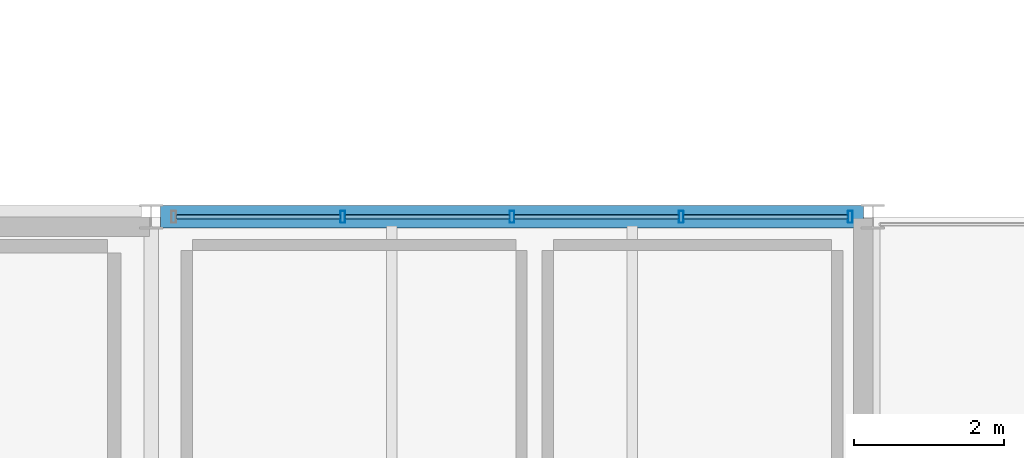
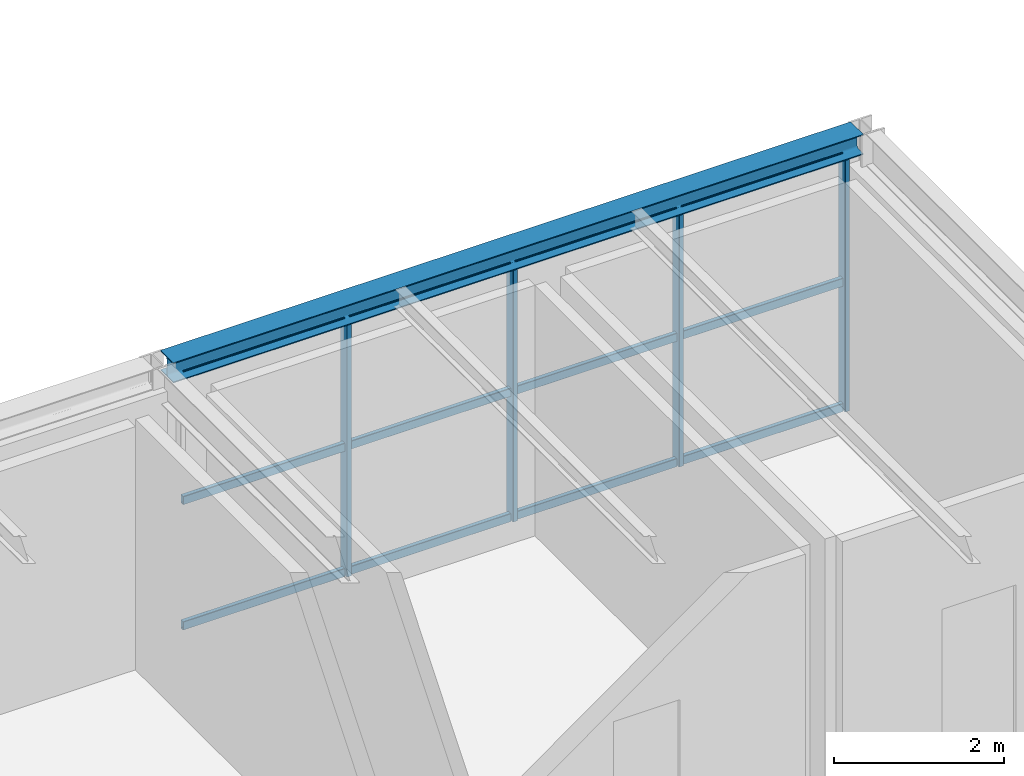
# One storey, part 37 of 50: 16 members, 1 beam, 1 element without a shape of its own.
"""IFC4 building model written with IfcOpenShell, lengths in metres."""

from ifc_helpers import new_model, si_unit, direction, frame, origin, origin_2d, place, context, subcontext, project, spatial, hollow_rectangle, i_section, extrude, material, material_profile, profile_set, type_object, element, aggregate, save


model = new_model("IFC4")

# Units and contexts
model_context = context("Model", 3, precision=1e-05, world=origin(), true_north=direction((0.0, 1.0)))
body_context = subcontext(model_context, "Body", "Model", "MODEL_VIEW")
ifc_project = project(units=[si_unit("LENGTHUNIT", "METRE"), si_unit("AREAUNIT", "SQUARE_METRE"), si_unit("VOLUMEUNIT", "CUBIC_METRE"), si_unit("PLANEANGLEUNIT", "RADIAN"), si_unit("MASSUNIT", "GRAM", prefix="KILO")], contexts=[model_context])

# Site, building, storey
site_placement = place(None, origin())
site = spatial("IfcSite", under=ifc_project, at=site_placement, CompositionType="ELEMENT")
building_placement = place(site_placement, origin())
building = spatial("IfcBuilding", under=site, at=building_placement, Name="Coralgate Yard Interchange", CompositionType="ELEMENT")
storey_placement = place(building_placement, frame((0.0, 0.0, 14.699951171875)))
storey = spatial("IfcBuildingStorey", under=building, at=storey_placement, Name="L03", CompositionType="ELEMENT", Elevation=14.699951171875)

# Beam
ifc_material_1 = material(Name="Structural steel S355J2", Category="steel")
ifc_material_profile_1 = material_profile(ifc_material_1, i_section(OverallWidth=0.300048828125, OverallDepth=0.2900390625, WebThickness=0.008544921875, FlangeThickness=0.013916015625, FilletRadius=0.027099609375, at=origin_2d()), Name="HEA 300")
ifc_profile_set_1 = profile_set([ifc_material_profile_1], Name="Structural steel S355J2")
beam_type = type_object("IfcBeamType", Name="BM-SP-2", PredefinedType="SPANDREL", material=ifc_profile_set_1)
beam_placement = place(storey_placement, frame((76.925537109375, 19.199951171875, 3.804931640625), z_axis=(1.0, 0.0, 0.0), x_axis=(0.0, 1.0, 0.0)))
element("IfcBeam", 1, at=beam_placement, inside=storey, type_object=beam_type, Name="L03 primary grid beam Y2 X8-9", PredefinedType="SPANDREL", context=body_context, shape_type="SweptSolid", body=[
    extrude(i_section(OverallWidth=0.300048828125, OverallDepth=0.2900390625, WebThickness=0.008544921875, FlangeThickness=0.013916015625, FilletRadius=0.027099609375, at=origin_2d()), origin(), (0.0, 0.0, 1.0), 9.348876953125),
])

# Curtain wall, members
ifc_material_2 = material(Name="Anodised coastal aluminium and solar-control low-E glass", Category="aluminium")
curtain_wall_type = type_object("IfcCurtainWallType", Name="CW-CW-L03-A", PredefinedType="NOTDEFINED", material=ifc_material_2)
curtain_wall_placement = place(storey_placement, origin())
curtain_wall = element("IfcCurtainWall", 2, at=curtain_wall_placement, inside=storey, type_object=curtain_wall_type, Name="L03 unitised curtain wall CW-L03-N-08-01", PredefinedType="NOTDEFINED")
ifc_material_3 = material(Name="Anodised coastal aluminium 6063-T6", Category="aluminium")
ifc_material_profile_2 = material_profile(ifc_material_3, hollow_rectangle(XDim=0.06494140625, YDim=0.159912109375, WallThickness=0.00390625, InnerFilletRadius=0.00390625, OuterFilletRadius=0.008056640625, at=origin_2d()), Name="ALU 65x160x4")
ifc_profile_set_2 = profile_set([ifc_material_profile_2], Name="Anodised coastal aluminium 6063-T6")
member_type_1 = type_object("IfcMemberType", Name="MB-MUL-160", PredefinedType="MULLION", material=ifc_profile_set_2)
member_1_placement = place(storey_placement, frame((79.35009765625, 19.199951171875, 0.0), z_axis=(0.0, 0.0, 1.0), x_axis=(1.0, 0.0, 0.0)))
member_1 = element("IfcMember", 3, at=member_1_placement, type_object=member_type_1, Name="CW-L03-N-08-01 vertical mullion 2", PredefinedType="MULLION", context=body_context, shape_type="SweptSolid", body=[
    extrude(hollow_rectangle(XDim=0.06494140625, YDim=0.159912109375, WallThickness=0.00390625, InnerFilletRadius=0.00390625, OuterFilletRadius=0.008056640625, at=origin_2d()), origin(), (0.0, 0.0, 1.0), 3.66015625),
])
member_2_placement = place(storey_placement, frame((81.60009765625, 19.199951171875, 0.0), z_axis=(0.0, 0.0, 1.0), x_axis=(1.0, 0.0, 0.0)))
member_2 = element("IfcMember", 4, at=member_2_placement, type_object=member_type_1, Name="CW-L03-N-08-01 vertical mullion 3", PredefinedType="MULLION", context=body_context, shape_type="SweptSolid", body=[
    extrude(hollow_rectangle(XDim=0.06494140625, YDim=0.159912109375, WallThickness=0.00390625, InnerFilletRadius=0.00390625, OuterFilletRadius=0.008056640625, at=origin_2d()), origin(), (0.0, 0.0, 1.0), 3.66015625),
])
member_3_placement = place(storey_placement, frame((83.85009765625, 19.199951171875, 0.0), z_axis=(0.0, 0.0, 1.0), x_axis=(1.0, 0.0, 0.0)))
member_3 = element("IfcMember", 5, at=member_3_placement, type_object=member_type_1, Name="CW-L03-N-08-01 vertical mullion 4", PredefinedType="MULLION", context=body_context, shape_type="SweptSolid", body=[
    extrude(hollow_rectangle(XDim=0.06494140625, YDim=0.159912109375, WallThickness=0.00390625, InnerFilletRadius=0.00390625, OuterFilletRadius=0.008056640625, at=origin_2d()), origin(), (0.0, 0.0, 1.0), 3.66015625),
])
member_4_placement = place(storey_placement, frame((86.10009765625, 19.199951171875, 0.0), z_axis=(0.0, 0.0, 1.0), x_axis=(1.0, 0.0, 0.0)))
member_4 = element("IfcMember", 6, at=member_4_placement, type_object=member_type_1, Name="CW-L03-N-08-01 vertical mullion 5", PredefinedType="MULLION", context=body_context, shape_type="SweptSolid", body=[
    extrude(hollow_rectangle(XDim=0.06494140625, YDim=0.159912109375, WallThickness=0.00390625, InnerFilletRadius=0.00390625, OuterFilletRadius=0.008056640625, at=origin_2d()), origin(), (0.0, 0.0, 1.0), 3.66015625),
])
ifc_material_profile_3 = material_profile(ifc_material_3, hollow_rectangle(XDim=0.06005859375, YDim=0.1201171875, WallThickness=0.00341796875, InnerFilletRadius=0.00341796875, OuterFilletRadius=0.007080078125, at=origin_2d()), Name="ALU 60x120x3.5")
ifc_profile_set_3 = profile_set([ifc_material_profile_3], Name="Anodised coastal aluminium 6063-T6")
member_type_2 = type_object("IfcMemberType", Name="MB-TRN-120", PredefinedType="USERDEFINED", material=ifc_profile_set_3)
member_5_placement = place(storey_placement, frame((77.1298828125, 19.199951171875, 0.03515625), z_axis=(1.0, 0.0, 0.0), x_axis=(0.0, 1.0, 0.0)))
member_5 = element("IfcMember", 7, at=member_5_placement, type_object=member_type_2, Name="CW-L03-N-08-01 horizontal transom 1-1", ObjectType="TRANSOM", PredefinedType="USERDEFINED", context=body_context, shape_type="SweptSolid", body=[
    extrude(hollow_rectangle(XDim=0.06005859375, YDim=0.1201171875, WallThickness=0.00341796875, InnerFilletRadius=0.00341796875, OuterFilletRadius=0.007080078125, at=origin_2d()), origin(), (0.0, 0.0, 1.0), 2.190185546875),
])
member_6_placement = place(storey_placement, frame((77.1298828125, 19.199951171875, 1.830078125), z_axis=(1.0, 0.0, 0.0), x_axis=(0.0, 1.0, 0.0)))
member_6 = element("IfcMember", 8, at=member_6_placement, type_object=member_type_2, Name="CW-L03-N-08-01 horizontal transom 1-2", ObjectType="TRANSOM", PredefinedType="USERDEFINED", context=body_context, shape_type="SweptSolid", body=[
    extrude(hollow_rectangle(XDim=0.06005859375, YDim=0.1201171875, WallThickness=0.00341796875, InnerFilletRadius=0.00341796875, OuterFilletRadius=0.007080078125, at=origin_2d()), origin(), (0.0, 0.0, 1.0), 2.190185546875),
])
member_7_placement = place(storey_placement, frame((77.1298828125, 19.199951171875, 3.625), z_axis=(1.0, 0.0, 0.0), x_axis=(0.0, 1.0, 0.0)))
member_7 = element("IfcMember", 9, at=member_7_placement, type_object=member_type_2, Name="CW-L03-N-08-01 horizontal transom 1-3", ObjectType="TRANSOM", PredefinedType="USERDEFINED", context=body_context, shape_type="SweptSolid", body=[
    extrude(hollow_rectangle(XDim=0.06005859375, YDim=0.1201171875, WallThickness=0.00341796875, InnerFilletRadius=0.00341796875, OuterFilletRadius=0.007080078125, at=origin_2d()), origin(), (0.0, 0.0, 1.0), 2.190185546875),
])
member_8_placement = place(storey_placement, frame((79.3798828125, 19.199951171875, 0.03515625), z_axis=(1.0, 0.0, 0.0), x_axis=(0.0, 1.0, 0.0)))
member_8 = element("IfcMember", 10, at=member_8_placement, type_object=member_type_2, Name="CW-L03-N-08-01 horizontal transom 2-1", ObjectType="TRANSOM", PredefinedType="USERDEFINED", context=body_context, shape_type="SweptSolid", body=[
    extrude(hollow_rectangle(XDim=0.06005859375, YDim=0.1201171875, WallThickness=0.00341796875, InnerFilletRadius=0.00341796875, OuterFilletRadius=0.007080078125, at=origin_2d()), origin(), (0.0, 0.0, 1.0), 2.190185546875),
])
member_9_placement = place(storey_placement, frame((79.3798828125, 19.199951171875, 1.830078125), z_axis=(1.0, 0.0, 0.0), x_axis=(0.0, 1.0, 0.0)))
member_9 = element("IfcMember", 11, at=member_9_placement, type_object=member_type_2, Name="CW-L03-N-08-01 horizontal transom 2-2", ObjectType="TRANSOM", PredefinedType="USERDEFINED", context=body_context, shape_type="SweptSolid", body=[
    extrude(hollow_rectangle(XDim=0.06005859375, YDim=0.1201171875, WallThickness=0.00341796875, InnerFilletRadius=0.00341796875, OuterFilletRadius=0.007080078125, at=origin_2d()), origin(), (0.0, 0.0, 1.0), 2.190185546875),
])
member_10_placement = place(storey_placement, frame((79.3798828125, 19.199951171875, 3.625), z_axis=(1.0, 0.0, 0.0), x_axis=(0.0, 1.0, 0.0)))
member_10 = element("IfcMember", 12, at=member_10_placement, type_object=member_type_2, Name="CW-L03-N-08-01 horizontal transom 2-3", ObjectType="TRANSOM", PredefinedType="USERDEFINED", context=body_context, shape_type="SweptSolid", body=[
    extrude(hollow_rectangle(XDim=0.06005859375, YDim=0.1201171875, WallThickness=0.00341796875, InnerFilletRadius=0.00341796875, OuterFilletRadius=0.007080078125, at=origin_2d()), origin(), (0.0, 0.0, 1.0), 2.190185546875),
])
member_11_placement = place(storey_placement, frame((81.6298828125, 19.199951171875, 0.03515625), z_axis=(1.0, 0.0, 0.0), x_axis=(0.0, 1.0, 0.0)))
member_11 = element("IfcMember", 13, at=member_11_placement, type_object=member_type_2, Name="CW-L03-N-08-01 horizontal transom 3-1", ObjectType="TRANSOM", PredefinedType="USERDEFINED", context=body_context, shape_type="SweptSolid", body=[
    extrude(hollow_rectangle(XDim=0.06005859375, YDim=0.1201171875, WallThickness=0.00341796875, InnerFilletRadius=0.00341796875, OuterFilletRadius=0.007080078125, at=origin_2d()), origin(), (0.0, 0.0, 1.0), 2.190185546875),
])
member_12_placement = place(storey_placement, frame((81.6298828125, 19.199951171875, 1.830078125), z_axis=(1.0, 0.0, 0.0), x_axis=(0.0, 1.0, 0.0)))
member_12 = element("IfcMember", 14, at=member_12_placement, type_object=member_type_2, Name="CW-L03-N-08-01 horizontal transom 3-2", ObjectType="TRANSOM", PredefinedType="USERDEFINED", context=body_context, shape_type="SweptSolid", body=[
    extrude(hollow_rectangle(XDim=0.06005859375, YDim=0.1201171875, WallThickness=0.00341796875, InnerFilletRadius=0.00341796875, OuterFilletRadius=0.007080078125, at=origin_2d()), origin(), (0.0, 0.0, 1.0), 2.190185546875),
])
member_13_placement = place(storey_placement, frame((81.6298828125, 19.199951171875, 3.625), z_axis=(1.0, 0.0, 0.0), x_axis=(0.0, 1.0, 0.0)))
member_13 = element("IfcMember", 15, at=member_13_placement, type_object=member_type_2, Name="CW-L03-N-08-01 horizontal transom 3-3", ObjectType="TRANSOM", PredefinedType="USERDEFINED", context=body_context, shape_type="SweptSolid", body=[
    extrude(hollow_rectangle(XDim=0.06005859375, YDim=0.1201171875, WallThickness=0.00341796875, InnerFilletRadius=0.00341796875, OuterFilletRadius=0.007080078125, at=origin_2d()), origin(), (0.0, 0.0, 1.0), 2.190185546875),
])
member_14_placement = place(storey_placement, frame((83.8798828125, 19.199951171875, 0.03515625), z_axis=(1.0, 0.0, 0.0), x_axis=(0.0, 1.0, 0.0)))
member_14 = element("IfcMember", 16, at=member_14_placement, type_object=member_type_2, Name="CW-L03-N-08-01 horizontal transom 4-1", ObjectType="TRANSOM", PredefinedType="USERDEFINED", context=body_context, shape_type="SweptSolid", body=[
    extrude(hollow_rectangle(XDim=0.06005859375, YDim=0.1201171875, WallThickness=0.00341796875, InnerFilletRadius=0.00341796875, OuterFilletRadius=0.007080078125, at=origin_2d()), origin(), (0.0, 0.0, 1.0), 2.190185546875),
])
member_15_placement = place(storey_placement, frame((83.8798828125, 19.199951171875, 1.830078125), z_axis=(1.0, 0.0, 0.0), x_axis=(0.0, 1.0, 0.0)))
member_15 = element("IfcMember", 17, at=member_15_placement, type_object=member_type_2, Name="CW-L03-N-08-01 horizontal transom 4-2", ObjectType="TRANSOM", PredefinedType="USERDEFINED", context=body_context, shape_type="SweptSolid", body=[
    extrude(hollow_rectangle(XDim=0.06005859375, YDim=0.1201171875, WallThickness=0.00341796875, InnerFilletRadius=0.00341796875, OuterFilletRadius=0.007080078125, at=origin_2d()), origin(), (0.0, 0.0, 1.0), 2.190185546875),
])
member_16_placement = place(storey_placement, frame((83.8798828125, 19.199951171875, 3.625), z_axis=(1.0, 0.0, 0.0), x_axis=(0.0, 1.0, 0.0)))
member_16 = element("IfcMember", 18, at=member_16_placement, type_object=member_type_2, Name="CW-L03-N-08-01 horizontal transom 4-3", ObjectType="TRANSOM", PredefinedType="USERDEFINED", context=body_context, shape_type="SweptSolid", body=[
    extrude(hollow_rectangle(XDim=0.06005859375, YDim=0.1201171875, WallThickness=0.00341796875, InnerFilletRadius=0.00341796875, OuterFilletRadius=0.007080078125, at=origin_2d()), origin(), (0.0, 0.0, 1.0), 2.190185546875),
])
aggregate(curtain_wall, [member_1, member_2, member_3, member_4, member_5, member_6, member_7, member_8, member_9, member_10, member_11, member_12, member_13, member_14, member_15, member_16])

save(model, "model.ifc")
